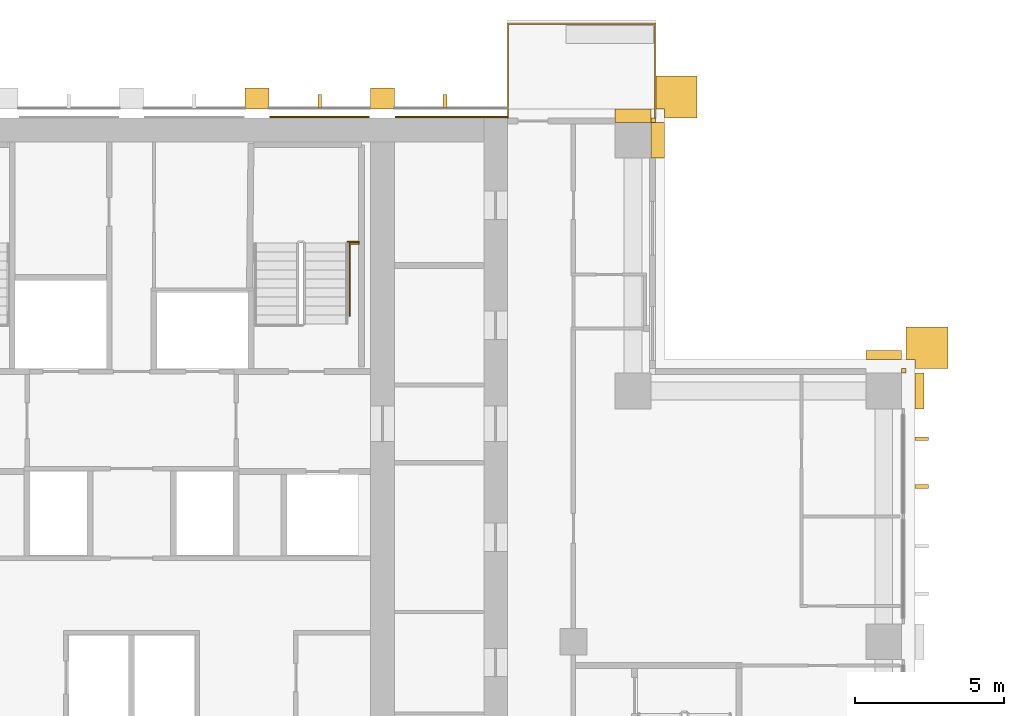
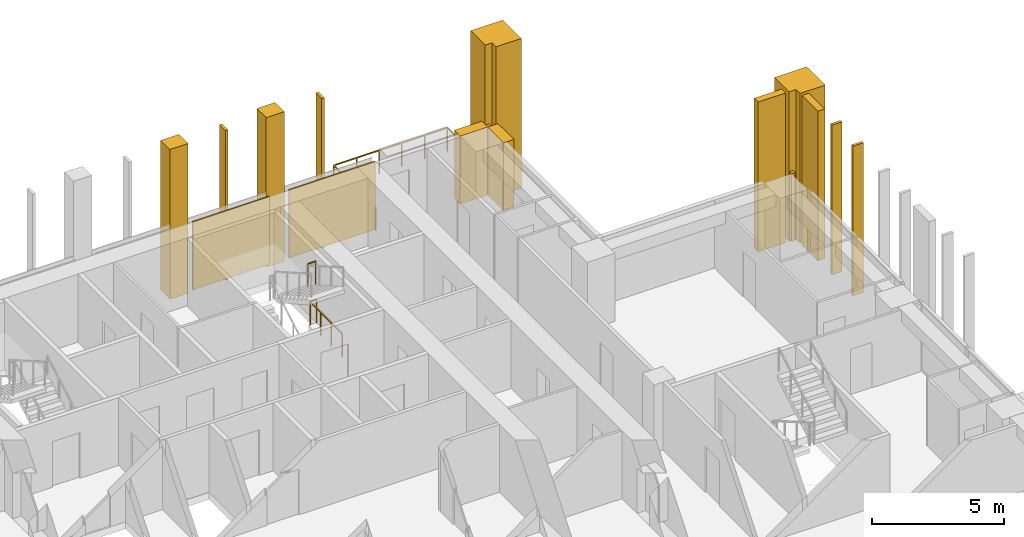
# One storey, part 19 of 19: 16 coverings, 3 railings.
"""IFC4 building model written with IfcOpenShell, lengths in metres."""

from ifc_helpers import new_model, si_unit, direction, frame, origin, origin_2d, place, context, subcontext, project, spatial, polyline, rectangle, outline, extrude, material, layer, layer_set, type_object, element, save


model = new_model("IFC4")

# Units and contexts
model_context = context("Model", 3, precision=1e-05, world=origin(), true_north=direction((0.0, 1.0)))
body_context = subcontext(model_context, "Body", "Model", "MODEL_VIEW")
ifc_project = project(units=[si_unit("LENGTHUNIT", "METRE"), si_unit("AREAUNIT", "SQUARE_METRE"), si_unit("VOLUMEUNIT", "CUBIC_METRE"), si_unit("PLANEANGLEUNIT", "RADIAN"), si_unit("MASSUNIT", "GRAM", prefix="KILO")], contexts=[model_context])

# Site, building, storey
site_placement = place(None, origin())
site = spatial("IfcSite", under=ifc_project, at=site_placement, CompositionType="ELEMENT")
building_placement = place(site_placement, origin())
building = spatial("IfcBuilding", under=site, at=building_placement, Name="Vermilion Ogive Tower", CompositionType="ELEMENT")
storey_placement = place(building_placement, frame((0.0, 0.0, 90.75)))
storey = spatial("IfcBuildingStorey", under=building, at=storey_placement, Name="L22", CompositionType="ELEMENT", Elevation=90.75)

# Railing
ifc_material_1 = material(Name="Stainless steel and glass", Category="steel")
railing_type_1 = type_object("IfcRailingType", Name="Balcony guard", PredefinedType="GUARDRAIL", material=ifc_material_1)
railing_1_placement = place(storey_placement, frame((17.550048828125, 21.75, -0.0400390625)))
element("IfcRailing", 1, at=railing_1_placement, inside=storey, type_object=railing_type_1, Name="Guard N101", PredefinedType="GUARDRAIL", context=body_context, shape_type="SweptSolid", body=[
    extrude(rectangle(XDim=0.048095703125, YDim=0.048095703125, at=origin_2d()), frame((0.0, 0.0, 1.076171875), z_axis=(0.0, 1.0, 0.0), x_axis=(-1.0, 0.0, 0.0)), (0.0, 0.0, 1.0), 3.159912109375),
    extrude(rectangle(XDim=0.048095703125, YDim=0.048095703125, at=origin_2d()), frame((0.0, 3.159912109375, 1.076171875), z_axis=(-1.0, 0.0, 0.0), x_axis=(0.0, -1.0, 0.0)), (0.0, 0.0, 1.0), 4.949951171875),
    extrude(rectangle(XDim=0.048095703125, YDim=0.048095703125, at=origin_2d()), frame((-4.949951171875, 3.159912109375, 1.076171875), z_axis=(0.0, -1.0, 0.0), x_axis=(1.0, 0.0, 0.0)), (0.0, 0.0, 1.0), 3.159912109375),
    extrude(rectangle(XDim=0.0419921875, YDim=0.0419921875, at=origin_2d()), origin(), (0.0, 0.0, 1.0), 1.052001953125),
    extrude(rectangle(XDim=0.0419921875, YDim=0.0419921875, at=origin_2d()), frame((0.0, 1.05322265625, 0.0)), (0.0, 0.0, 1.0), 1.052001953125),
    extrude(rectangle(XDim=0.0419921875, YDim=0.0419921875, at=origin_2d()), frame((0.0, 2.106689453125, 0.0)), (0.0, 0.0, 1.0), 1.052001953125),
    extrude(rectangle(XDim=0.0419921875, YDim=0.0419921875, at=origin_2d()), frame((0.0, 3.159912109375, 0.0)), (0.0, 0.0, 1.0), 1.052001953125),
    extrude(rectangle(XDim=0.0419921875, YDim=0.0419921875, at=origin_2d()), frame((-0.989990234375, 3.159912109375, 0.0)), (0.0, 0.0, 1.0), 1.052001953125),
    extrude(rectangle(XDim=0.0419921875, YDim=0.0419921875, at=origin_2d()), frame((-1.97998046875, 3.159912109375, 0.0)), (0.0, 0.0, 1.0), 1.052001953125),
    extrude(rectangle(XDim=0.0419921875, YDim=0.0419921875, at=origin_2d()), frame((-2.969970703125, 3.159912109375, 0.0)), (0.0, 0.0, 1.0), 1.052001953125),
    extrude(rectangle(XDim=0.0419921875, YDim=0.0419921875, at=origin_2d()), frame((-3.9599609375, 3.159912109375, 0.0)), (0.0, 0.0, 1.0), 1.052001953125),
    extrude(rectangle(XDim=0.0419921875, YDim=0.0419921875, at=origin_2d()), frame((-4.949951171875, 3.159912109375, 0.0)), (0.0, 0.0, 1.0), 1.052001953125),
    extrude(rectangle(XDim=0.0419921875, YDim=0.0419921875, at=origin_2d()), frame((-4.949951171875, 2.106689453125, 0.0)), (0.0, 0.0, 1.0), 1.052001953125),
    extrude(rectangle(XDim=0.0419921875, YDim=0.0419921875, at=origin_2d()), frame((-4.949951171875, 1.05322265625, 0.0)), (0.0, 0.0, 1.0), 1.052001953125),
    extrude(rectangle(XDim=0.0419921875, YDim=0.0419921875, at=origin_2d()), frame((-4.949951171875, 0.0, 0.0)), (0.0, 0.0, 1.0), 1.052001953125),
])

# Coverings
ifc_material_2 = material(Name="Glazed ceramic screen")
ifc_layer = layer(ifc_material_2, 0.14990234375)
ifc_layer_set = layer_set([ifc_layer], Name="Ceramic solar screen fin")
covering_type_1 = type_object("IfcCoveringType", Name="Ceramic solar screen fin", PredefinedType="CLADDING", material=ifc_layer_set)
covering_1_placement = place(storey_placement, frame((0.0, 0.0, -0.320068359375)))
element("IfcCovering", 2, at=covering_1_placement, inside=storey, type_object=covering_type_1, Name="Solar screen blade E021", PredefinedType="CLADDING", context=body_context, shape_type="SweptSolid", body=[
    extrude(outline(polyline([(26.699951171875, 9.340087890625), (26.699951171875, 9.4599609375), (26.25, 9.4599609375), (26.25, 9.340087890625), (26.699951171875, 9.340087890625)])), origin(), (0.0, 0.0, 1.0), 6.900146484375),
])
covering_2_placement = place(storey_placement, frame((0.0, 0.0, -0.320068359375)))
element("IfcCovering", 3, at=covering_2_placement, inside=storey, type_object=covering_type_1, Name="Solar screen blade E022", PredefinedType="CLADDING", context=body_context, shape_type="SweptSolid", body=[
    extrude(outline(polyline([(26.699951171875, 10.93994140625), (26.699951171875, 11.06005859375), (26.25, 11.06005859375), (26.25, 10.93994140625), (26.699951171875, 10.93994140625)])), origin(), (0.0, 0.0, 1.0), 6.900146484375),
])
covering_3_placement = place(storey_placement, frame((0.0, 0.0, -0.320068359375)))
element("IfcCovering", 4, at=covering_3_placement, inside=storey, type_object=covering_type_1, Name="Solar screen blade N5", PredefinedType="CLADDING", context=body_context, shape_type="SweptSolid", body=[
    extrude(outline(polyline([(6.239990234375, 22.08203125), (6.360107421875, 22.08203125), (6.360107421875, 22.531982421875), (6.239990234375, 22.531982421875), (6.239990234375, 22.08203125)])), origin(), (0.0, 0.0, 1.0), 6.900146484375),
])
covering_4_placement = place(storey_placement, frame((0.0, 0.0, -0.320068359375)))
element("IfcCovering", 5, at=covering_4_placement, inside=storey, type_object=covering_type_1, Name="Solar screen blade N6", PredefinedType="CLADDING", context=body_context, shape_type="SweptSolid", body=[
    extrude(outline(polyline([(10.43994140625, 22.08203125), (10.56005859375, 22.08203125), (10.56005859375, 22.531982421875), (10.43994140625, 22.531982421875), (10.43994140625, 22.08203125)])), origin(), (0.0, 0.0, 1.0), 6.900146484375),
])

# Railings
ifc_material_3 = material(Name="Steel S355 painted", Category="steel")
railing_type_2 = type_object("IfcRailingType", Name="Stair guard 1100", PredefinedType="GUARDRAIL", material=ifc_material_3)
railing_2_placement = place(storey_placement, frame((7.25, 17.60009765625, 1.72509765625)))
element("IfcRailing", 6, at=railing_2_placement, inside=storey, type_object=railing_type_2, Name="L22 landing guard", PredefinedType="GUARDRAIL", context=body_context, shape_type="SweptSolid", body=[
    extrude(rectangle(XDim=0.048095703125, YDim=0.048095703125, at=origin_2d()), frame((0.0, 0.0, 1.076171875), z_axis=(1.0, 0.0, 0.0), x_axis=(0.0, 1.0, 0.0)), (0.0, 0.0, 1.0), 0.35009765625),
    extrude(rectangle(XDim=0.0419921875, YDim=0.0419921875, at=origin_2d()), origin(), (0.0, 0.0, 1.0), 1.052001953125),
    extrude(rectangle(XDim=0.0419921875, YDim=0.0419921875, at=origin_2d()), frame((0.35009765625, 0.0, 0.0)), (0.0, 0.0, 1.0), 1.052001953125),
])
railing_3_placement = place(storey_placement, frame((7.599609375, 17.54296875, 0.0)))
element("IfcRailing", 7, at=railing_3_placement, inside=storey, type_object=railing_type_2, Name="L22 stair opening guard", PredefinedType="GUARDRAIL", context=body_context, shape_type="SweptSolid", body=[
    extrude(rectangle(XDim=0.048095703125, YDim=0.048095703125, at=origin_2d()), frame((0.0, 0.0, 1.076171875), z_axis=(-1.0, 0.0, 0.0), x_axis=(0.0, -1.0, 0.0)), (0.0, 0.0, 1.0), 0.2900390625),
    extrude(rectangle(XDim=0.048095703125, YDim=0.048095703125, at=origin_2d()), frame((-0.2900390625, 0.0, 1.076171875), z_axis=(0.0, -1.0, 0.0), x_axis=(1.0, 0.0, 0.0)), (0.0, 0.0, 1.0), 2.42431640625),
    extrude(rectangle(XDim=0.0419921875, YDim=0.0419921875, at=origin_2d()), origin(), (0.0, 0.0, 1.0), 1.052001953125),
    extrude(rectangle(XDim=0.0419921875, YDim=0.0419921875, at=origin_2d()), frame((-0.2900390625, 0.0, 0.0)), (0.0, 0.0, 1.0), 1.052001953125),
    extrude(rectangle(XDim=0.0419921875, YDim=0.0419921875, at=origin_2d()), frame((-0.2900390625, -0.80810546875, 0.0)), (0.0, 0.0, 1.0), 1.052001953125),
    extrude(rectangle(XDim=0.0419921875, YDim=0.0419921875, at=origin_2d()), frame((-0.2900390625, -1.6162109375, 0.0)), (0.0, 0.0, 1.0), 1.052001953125),
    extrude(rectangle(XDim=0.0419921875, YDim=0.0419921875, at=origin_2d()), frame((-0.2900390625, -2.42431640625, 0.0)), (0.0, 0.0, 1.0), 1.052001953125),
])

# Coverings
ifc_material_4 = material(Name="Stone cladding", Category="masonry")
covering_type_2 = type_object("IfcCoveringType", Name="Stone buttress pier", PredefinedType="CLADDING", material=ifc_material_4)
covering_5_placement = place(storey_placement, frame((0.0, 0.0, -0.320068359375)))
element("IfcCovering", 8, at=covering_5_placement, inside=storey, type_object=covering_type_2, Name="Stone buttress pier N4", PredefinedType="CLADDING", context=body_context, shape_type="SweptSolid", body=[
    extrude(outline(polyline([(4.60009765625, 22.75), (4.60009765625, 22.050048828125), (3.800048828125, 22.050048828125), (3.800048828125, 22.75), (4.60009765625, 22.75)])), origin(), (0.0, 0.0, 1.0), 6.900146484375),
])
covering_6_placement = place(storey_placement, frame((0.0, 0.0, -0.320068359375)))
element("IfcCovering", 9, at=covering_6_placement, inside=storey, type_object=covering_type_2, Name="Stone buttress pier N5", PredefinedType="CLADDING", context=body_context, shape_type="SweptSolid", body=[
    extrude(outline(polyline([(8.800048828125, 22.75), (8.800048828125, 22.050048828125), (8.0, 22.050048828125), (8.0, 22.75), (8.800048828125, 22.75)])), origin(), (0.0, 0.0, 1.0), 6.900146484375),
])
ifc_material_5 = material(Name="Stone cladding", Category="masonry")
covering_type_3 = type_object("IfcCoveringType", Name="Stone cladding panel", PredefinedType="CLADDING", material=ifc_material_5)
covering_7_placement = place(storey_placement, origin())
element("IfcCovering", 10, at=covering_7_placement, inside=storey, type_object=covering_type_3, Name="Stone cladding panel N5", PredefinedType="CLADDING", context=body_context, shape_type="SweptSolid", body=[
    extrude(outline(polyline([(4.6298828125, 21.75), (7.969970703125, 21.75), (7.969970703125, 21.81005859375), (4.6298828125, 21.81005859375), (4.6298828125, 21.75)])), origin(), (0.0, 0.0, 1.0), 3.1298828125),
])
covering_8_placement = place(storey_placement, origin())
element("IfcCovering", 11, at=covering_8_placement, inside=storey, type_object=covering_type_3, Name="Stone cladding panel N6", PredefinedType="CLADDING", context=body_context, shape_type="SweptSolid", body=[
    extrude(outline(polyline([(8.830078125, 21.75), (12.590087890625, 21.75), (12.590087890625, 21.81005859375), (8.830078125, 21.81005859375), (8.830078125, 21.75)])), origin(), (0.0, 0.0, 1.0), 3.1298828125),
])
ifc_material_6 = material(Name="Stone cladding", Category="masonry")
covering_type_4 = type_object("IfcCoveringType", Name="Stone corner buttress", PredefinedType="CLADDING", material=ifc_material_6)
covering_9_placement = place(storey_placement, frame((0.0, 0.0, -0.320068359375)))
element("IfcCovering", 12, at=covering_9_placement, inside=storey, type_object=covering_type_4, Name="Stone corner buttress X31", PredefinedType="CLADDING", context=body_context, shape_type="SweptSolid", body=[
    extrude(outline(polyline([(26.25, 13.35009765625), (26.25, 13.64990234375), (25.949951171875, 13.64990234375), (25.949951171875, 14.75), (27.35009765625, 14.75), (27.35009765625, 13.35009765625), (26.25, 13.35009765625)])), origin(), (0.0, 0.0, 1.0), 6.900146484375),
])
covering_10_placement = place(storey_placement, frame((0.0, 0.0, -0.320068359375)))
element("IfcCovering", 13, at=covering_10_placement, inside=storey, type_object=covering_type_4, Name="Stone corner buttress N11", PredefinedType="CLADDING", context=body_context, shape_type="SweptSolid", body=[
    extrude(outline(polyline([(17.85009765625, 22.050048828125), (17.550048828125, 22.050048828125), (17.550048828125, 23.14990234375), (18.949951171875, 23.14990234375), (18.949951171875, 21.75), (17.85009765625, 21.75), (17.85009765625, 22.050048828125)])), origin(), (0.0, 0.0, 1.0), 6.900146484375),
])
ifc_material_7 = material(Name="Stone cladding", Category="masonry")
covering_type_5 = type_object("IfcCoveringType", Name="Stone pier", PredefinedType="CLADDING", material=ifc_material_7)
covering_11_placement = place(storey_placement, origin())
element("IfcCovering", 14, at=covering_11_placement, inside=storey, type_object=covering_type_5, Name="Stone corner pier EE1", PredefinedType="CLADDING", context=body_context, shape_type="SweptSolid", body=[
    extrude(outline(polyline([(25.949951171875, 13.199951171875), (25.800048828125, 13.199951171875), (25.800048828125, 13.35009765625), (25.949951171875, 13.35009765625), (25.949951171875, 13.199951171875)])), origin(), (0.0, 0.0, 1.0), 3.1298828125),
])
covering_12_placement = place(storey_placement, origin())
element("IfcCovering", 15, at=covering_12_placement, inside=storey, type_object=covering_type_5, Name="Stone corner pier X4E1", PredefinedType="CLADDING", context=body_context, shape_type="SweptSolid", body=[
    extrude(outline(polyline([(17.550048828125, 21.60009765625), (17.39990234375, 21.60009765625), (17.39990234375, 21.60009765625), (17.39990234375, 21.75), (17.550048828125, 21.75), (17.550048828125, 21.60009765625)])), origin(), (0.0, 0.0, 1.0), 3.1298828125),
])
covering_13_placement = place(storey_placement, frame((0.0, 0.0, -0.320068359375)))
element("IfcCovering", 16, at=covering_13_placement, inside=storey, type_object=covering_type_5, Name="Stone pier P+0252+126E", PredefinedType="CLADDING", context=body_context, shape_type="SweptSolid", body=[
    extrude(outline(polyline([(26.550048828125, 13.199951171875), (26.550048828125, 12.0), (26.25, 12.0), (26.25, 13.199951171875), (26.550048828125, 13.199951171875)])), origin(), (0.0, 0.0, 1.0), 6.900146484375),
])
covering_14_placement = place(storey_placement, frame((0.0, 0.0, -0.320068359375)))
element("IfcCovering", 17, at=covering_14_placement, inside=storey, type_object=covering_type_5, Name="Stone pier P+0252+126X3", PredefinedType="CLADDING", context=body_context, shape_type="SweptSolid", body=[
    extrude(outline(polyline([(25.800048828125, 13.949951171875), (25.800048828125, 13.64990234375), (24.60009765625, 13.64990234375), (24.60009765625, 13.949951171875), (25.800048828125, 13.949951171875)])), origin(), (0.0, 0.0, 1.0), 6.900146484375),
])
covering_15_placement = place(storey_placement, origin())
element("IfcCovering", 18, at=covering_15_placement, inside=storey, type_object=covering_type_5, Name="Stone pier P+0168+210X4", PredefinedType="CLADDING", context=body_context, shape_type="SweptSolid", body=[
    extrude(outline(polyline([(17.85009765625, 21.60009765625), (17.85009765625, 20.39990234375), (17.39990234375, 20.39990234375), (17.39990234375, 21.60009765625), (17.85009765625, 21.60009765625)])), origin(), (0.0, 0.0, 1.0), 3.1298828125),
])
covering_16_placement = place(storey_placement, origin())
element("IfcCovering", 19, at=covering_16_placement, inside=storey, type_object=covering_type_5, Name="Stone pier P+0168+210N1", PredefinedType="CLADDING", context=body_context, shape_type="SweptSolid", body=[
    extrude(outline(polyline([(17.39990234375, 22.050048828125), (17.39990234375, 21.60009765625), (16.199951171875, 21.60009765625), (16.199951171875, 22.050048828125), (17.39990234375, 22.050048828125)])), origin(), (0.0, 0.0, 1.0), 3.1298828125),
])

save(model, "model.ifc")
